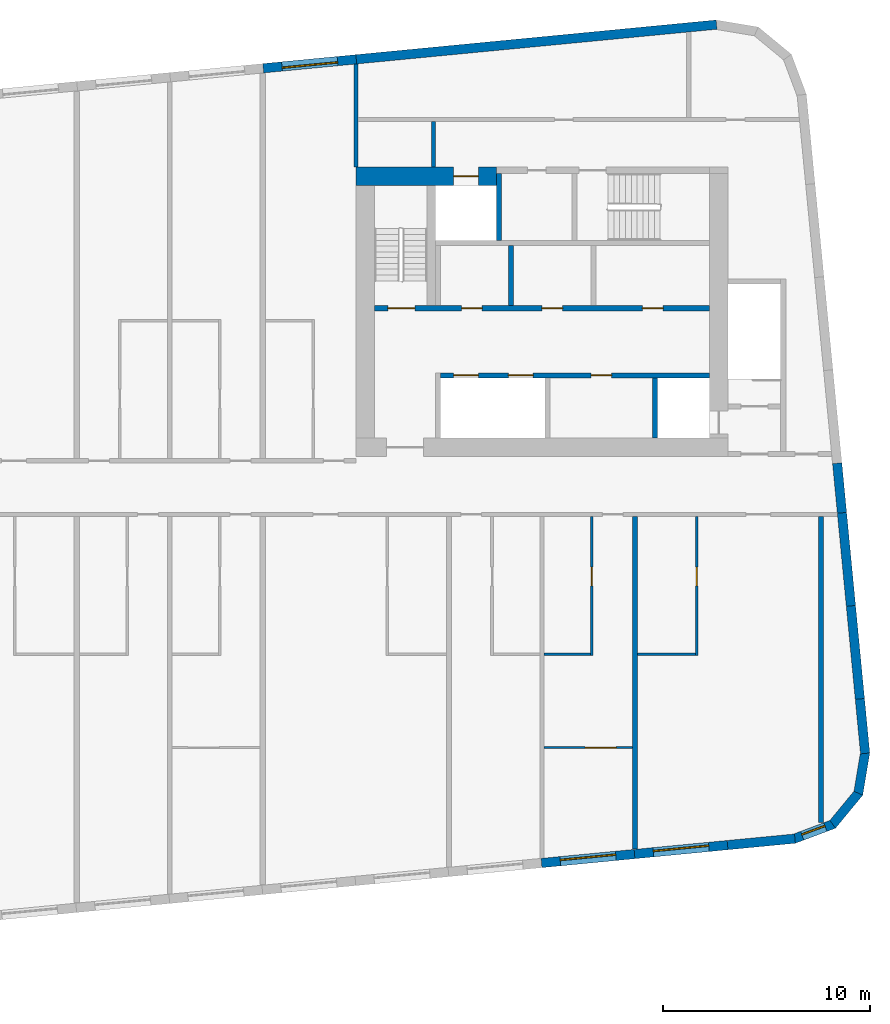
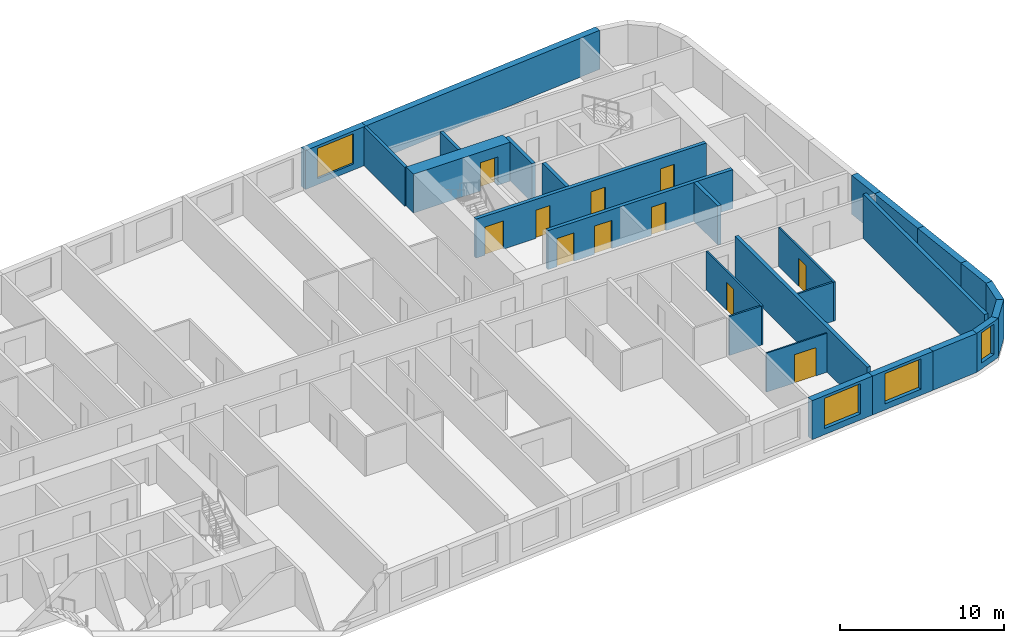
# One storey, part 7 of 11: 27 walls, 11 doors, 4 windows, 15 openings.
"""IFC4 building model written with IfcOpenShell, lengths in metres."""

from ifc_helpers import new_model, si_unit, direction, frame, frame_2d, origin, place, context, subcontext, project, spatial, polyline, rectangle, outline, extrude, material, layer, layer_set, type_object, element, fill, save


model = new_model("IFC4")

# Units and contexts
model_context = context("Model", 3, precision=1e-05, world=origin(), true_north=direction((0.0, 1.0)))
body_context = subcontext(model_context, "Body", "Model", "MODEL_VIEW")
ifc_project = project(units=[si_unit("LENGTHUNIT", "METRE"), si_unit("AREAUNIT", "SQUARE_METRE"), si_unit("VOLUMEUNIT", "CUBIC_METRE"), si_unit("PLANEANGLEUNIT", "RADIAN"), si_unit("MASSUNIT", "GRAM", prefix="KILO")], contexts=[model_context])

# Site, building, storey
site_placement = place(None, origin())
site = spatial("IfcSite", under=ifc_project, at=site_placement, CompositionType="ELEMENT")
building_placement = place(site_placement, origin())
building = spatial("IfcBuilding", under=site, at=building_placement, Name="Kajstack Hotel Tower", CompositionType="ELEMENT")
storey_placement = place(building_placement, frame((0.0, 0.0, 304.800048828125)))
storey = spatial("IfcBuildingStorey", under=building, at=storey_placement, Name="L77", CompositionType="ELEMENT", Elevation=304.800048828125)

# Wall, opening, door
ifc_material_1 = material(Name="Concrete C60/75", Category="concrete")
ifc_layer_1 = layer(ifc_material_1, 0.89990234375)
ifc_layer_set_1 = layer_set([ifc_layer_1], Name="Core wall 900")
wall_type_1 = type_object("IfcWallType", Name="Core wall 900", PredefinedType="SHEAR", material=ifc_layer_set_1)
wall_1_placement = place(storey_placement, frame((13.5, 15.050048828125, 0.0), z_axis=(0.0, 0.0, 1.0), x_axis=(1.0, 0.0, 0.0)))
wall_1 = element("IfcWall", 1, at=wall_1_placement, inside=storey, type_object=wall_type_1, Name="Core wall E RS", PredefinedType="SHEAR", context=body_context, shape_type="SweptSolid", body=[
    extrude(rectangle(XDim=6.800048828125, YDim=0.89990234375, at=frame_2d((3.39990234375, 0.0))), origin(), (0.0, 0.0, 1.0), 2.89990234375),
])
opening_1_placement = place(wall_1_placement, frame((4.72509765625, 0.0, 0.0)))
opening_1 = element("IfcOpeningElement", 2, at=opening_1_placement, cuts=wall_1, Name="Opening LD-SV2", PredefinedType="OPENING", context=body_context, shape_type="SweptSolid", body=[
    extrude(rectangle(XDim=1.199951171875, YDim=2.10009765625, at=frame_2d((0.60009765625, 1.050048828125))), frame((0.0, 0.4599609375, 0.0), z_axis=(0.0, -1.0, 0.0), x_axis=(1.0, 0.0, 0.0)), (0.0, 0.0, 1.0), 0.919921875),
])
ifc_material_2 = material(Name="Stainless steel", Category="steel")
door_type_1 = type_object("IfcDoorType", Name="Lift landing door 1200", OperationType="SLIDING_TO_LEFT", PredefinedType="DOOR", material=ifc_material_2)
door_1_placement = place(opening_1_placement, origin())
door_1 = element("IfcDoor", 3, at=door_1_placement, inside=storey, type_object=door_type_1, Name="Landing door SV2", OperationType="SLIDING_TO_LEFT", OverallHeight=2.10009765625, OverallWidth=1.199951171875, PredefinedType="DOOR", context=body_context, shape_type="SweptSolid", body=[
    extrude(rectangle(XDim=1.199951171875, YDim=2.10009765625, at=frame_2d((0.60009765625, 1.050048828125))), frame((0.0, 0.02490234375, 0.0), z_axis=(0.0, -1.0, 0.0), x_axis=(1.0, 0.0, 0.0)), (0.0, 0.0, 1.0), 0.050048828125),
])
fill(opening_1, door_1)

# Wall
ifc_material_3 = material(Name="Twin-frame gypsum board on steel studs, mineral wool", Category="steel")
ifc_layer_2 = layer(ifc_material_3, 0.199951171875)
ifc_layer_set_2 = layer_set([ifc_layer_2], Name="Demising wall 200")
wall_type_2 = type_object("IfcWallType", Name="Demising wall 200", PredefinedType="PARTITIONING", material=ifc_layer_set_2)
wall_2_placement = place(storey_placement, frame((13.5, 15.5, 0.0), z_axis=(0.0, 0.0, 1.0), x_axis=(0.0, 1.0, 0.0)))
element("IfcWall", 4, at=wall_2_placement, inside=storey, type_object=wall_type_2, Name="G-wall-L77-001", PredefinedType="PARTITIONING", context=body_context, shape_type="SweptSolid", body=[
    extrude(rectangle(XDim=4.985107421875, YDim=0.199951171875, at=frame_2d((2.49267578125, 0.0))), origin(), (0.0, 0.0, 1.0), 2.89990234375),
])

# Wall, opening, window
ifc_material_4 = material(Name="Concrete C40/50", Category="concrete")
ifc_layer_3 = layer(ifc_material_4, 0.449951171875)
ifc_layer_set_3 = layer_set([ifc_layer_3], Name="EW-CORE")
wall_type_3 = type_object("IfcWallType", Name="EW-CORE", PredefinedType="SOLIDWALL", material=ifc_layer_set_3)
wall_3_placement = place(storey_placement, frame((22.478515625, -18.157470703125, 0.0), z_axis=(0.0, 0.0, 1.0), x_axis=(0.995400317863, 0.09580296028, 0.0)))
wall_3 = element("IfcWall", 5, at=wall_3_placement, inside=storey, type_object=wall_type_3, Name="E-wall-L77-04-10", PredefinedType="SOLIDWALL", context=body_context, shape_type="SweptSolid", body=[
    extrude(rectangle(XDim=4.520751953125, YDim=0.449951171875, at=frame_2d((2.26025390625, 0.0))), origin(), (0.0, 0.0, 1.0), 2.89990234375),
])
opening_2_placement = place(wall_3_placement, frame((0.910400390625, 0.0, 0.449951171875)))
opening_2 = element("IfcOpeningElement", 6, at=opening_2_placement, cuts=wall_3, Name="Opening W1", PredefinedType="OPENING", context=body_context, shape_type="SweptSolid", body=[
    extrude(rectangle(XDim=2.699951171875, YDim=2.25, at=frame_2d((1.35009765625, 1.125))), frame((0.0, 0.23486328125, 0.0), z_axis=(0.0, -1.0, 0.0), x_axis=(1.0, 0.0, 0.0)), (0.0, 0.0, 1.0), 0.469970703125),
])
ifc_material_5 = material(Name="Timber-aluminium window, triple glazed", Category="wood")
window_type_1 = type_object("IfcWindowType", Name="WG1", PartitioningType="SINGLE_PANEL", PredefinedType="WINDOW", material=ifc_material_5)
window_1_placement = place(opening_2_placement, origin())
window_1 = element("IfcWindow", 7, at=window_1_placement, inside=storey, type_object=window_type_1, Name="Window W1 L77-04", OverallHeight=2.25, OverallWidth=2.699951171875, PartitioningType="SINGLE_PANEL", PredefinedType="WINDOW", context=body_context, shape_type="SweptSolid", body=[
    extrude(rectangle(XDim=2.699951171875, YDim=2.25, at=frame_2d((1.35009765625, 1.125))), frame((0.0, 0.090087890625, 0.0), z_axis=(0.0, -1.0, 0.0), x_axis=(1.0, 0.0, 0.0)), (0.0, 0.0, 1.0), 0.06005859375),
])
fill(opening_2, window_1)

wall_4_placement = place(storey_placement, frame((26.978515625, -17.724365234375, 0.0), z_axis=(0.0, 0.0, 1.0), x_axis=(0.995395166513, 0.095856468129, 0.0)))
wall_4 = element("IfcWall", 8, at=wall_4_placement, inside=storey, type_object=wall_type_3, Name="E-wall-L77-04-11", PredefinedType="SOLIDWALL", context=body_context, shape_type="SweptSolid", body=[
    extrude(rectangle(XDim=4.520751953125, YDim=0.449951171875, at=frame_2d((2.26025390625, 0.0))), origin(), (0.0, 0.0, 1.0), 2.89990234375),
])
opening_3_placement = place(wall_4_placement, frame((0.910400390625, 0.0, 0.449951171875)))
opening_3 = element("IfcOpeningElement", 9, at=opening_3_placement, cuts=wall_4, Name="Opening W1", PredefinedType="OPENING", context=body_context, shape_type="SweptSolid", body=[
    extrude(rectangle(XDim=2.699951171875, YDim=2.25, at=frame_2d((1.35009765625, 1.125))), frame((0.0, 0.23486328125, 0.0), z_axis=(0.0, -1.0, 0.0), x_axis=(1.0, 0.0, 0.0)), (0.0, 0.0, 1.0), 0.469970703125),
])
window_2_placement = place(opening_3_placement, origin())
window_2 = element("IfcWindow", 10, at=window_2_placement, inside=storey, type_object=window_type_1, Name="Window W1 L77-04", OverallHeight=2.25, OverallWidth=2.699951171875, PartitioningType="SINGLE_PANEL", PredefinedType="WINDOW", context=body_context, shape_type="SweptSolid", body=[
    extrude(rectangle(XDim=2.699951171875, YDim=2.25, at=frame_2d((1.35009765625, 1.125))), frame((0.0, 0.090087890625, 0.0), z_axis=(0.0, -1.0, 0.0), x_axis=(1.0, 0.0, 0.0)), (0.0, 0.0, 1.0), 0.06005859375),
])
fill(opening_3, window_2)

# Wall
wall_5_placement = place(storey_placement, frame((31.478515625, -17.291015625, 0.0), z_axis=(0.0, 0.0, 1.0), x_axis=(0.995396037172, 0.095847426584, 0.0)))
element("IfcWall", 11, at=wall_5_placement, inside=storey, type_object=wall_type_3, Name="E-wall-L77-04-12", PredefinedType="SOLIDWALL", context=body_context, shape_type="SweptSolid", body=[
    extrude(rectangle(XDim=3.273193359375, YDim=0.449951171875, at=frame_2d((1.63671875, 0.0))), origin(), (0.0, 0.0, 1.0), 2.89990234375),
])

# Wall, opening, window
wall_6_placement = place(storey_placement, frame((34.67919921875, -16.990478515625, 0.0), z_axis=(0.0, 0.0, 1.0), x_axis=(0.936677599948, 0.350192909346, 0.0)))
wall_6 = element("IfcWall", 12, at=wall_6_placement, inside=storey, type_object=wall_type_3, Name="E-wall-L77-05-00", PredefinedType="SOLIDWALL", context=body_context, shape_type="SweptSolid", body=[
    extrude(outline(polyline([(0.0, -0.22509765625), (2.070556640625, -0.22509765625), (1.949951171875, 0.22509765625), (0.12060546875, 0.22509765625), (0.0, -0.22509765625)])), origin(), (0.0, 0.0, 1.0), 2.89990234375),
])
opening_4_placement = place(wall_6_placement, frame((0.435302734375, 0.0, 0.449951171875)))
opening_4 = element("IfcOpeningElement", 13, at=opening_4_placement, cuts=wall_6, Name="Opening W3", PredefinedType="OPENING", context=body_context, shape_type="SweptSolid", body=[
    extrude(rectangle(XDim=1.199951171875, YDim=2.25, at=frame_2d((0.60009765625, 1.125))), frame((0.0, 0.23486328125, 0.0), z_axis=(0.0, -1.0, 0.0), x_axis=(1.0, 0.0, 0.0)), (0.0, 0.0, 1.0), 0.469970703125),
])
window_type_2 = type_object("IfcWindowType", Name="WG3", PartitioningType="SINGLE_PANEL", PredefinedType="WINDOW", material=ifc_material_5)
window_3_placement = place(opening_4_placement, origin())
window_3 = element("IfcWindow", 14, at=window_3_placement, inside=storey, type_object=window_type_2, Name="Window W3 L77-05", OverallHeight=2.25, OverallWidth=1.199951171875, PartitioningType="SINGLE_PANEL", PredefinedType="WINDOW", context=body_context, shape_type="SweptSolid", body=[
    extrude(rectangle(XDim=1.199951171875, YDim=2.25, at=frame_2d((0.60009765625, 1.125))), frame((0.0, 0.090087890625, 0.0), z_axis=(0.0, -1.0, 0.0), x_axis=(1.0, 0.0, 0.0)), (0.0, 0.0, 1.0), 0.06005859375),
])
fill(opening_4, window_3)

# Walls
wall_7_placement = place(storey_placement, frame((36.52392578125, -16.3330078125, 0.0), z_axis=(0.0, 0.0, 1.0), x_axis=(0.636046112757, 0.771651049663, 0.0)))
element("IfcWall", 15, at=wall_7_placement, inside=storey, type_object=wall_type_3, Name="E-wall-L77-06-00", PredefinedType="SOLIDWALL", context=body_context, shape_type="SweptSolid", body=[
    extrude(outline(polyline([(0.0, -0.224853515625), (2.070556640625, -0.22509765625), (1.949951171875, 0.22509765625), (0.12060546875, 0.22509765625), (0.0, -0.224853515625)])), origin(), (0.0, 0.0, 1.0), 2.89990234375),
])
wall_8_placement = place(storey_placement, frame((37.79248046875, -14.84130859375, 0.0), z_axis=(0.0, 0.0, 1.0), x_axis=(0.165068144653, 0.986282164302, 0.0)))
element("IfcWall", 16, at=wall_8_placement, inside=storey, type_object=wall_type_3, Name="E-wall-L77-07-00", PredefinedType="SOLIDWALL", context=body_context, shape_type="SweptSolid", body=[
    extrude(outline(polyline([(0.0, -0.22509765625), (2.070556640625, -0.22509765625), (1.949951171875, 0.224853515625), (0.12060546875, 0.224853515625), (0.0, -0.22509765625)])), origin(), (0.0, 0.0, 1.0), 2.89990234375),
])
wall_9_placement = place(storey_placement, frame((38.13232421875, -12.85791015625, 0.0), z_axis=(0.0, 0.0, 1.0), x_axis=(-0.095861695493, 0.995394663105, 0.0)))
element("IfcWall", 17, at=wall_9_placement, inside=storey, type_object=wall_type_3, Name="E-wall-L77-08-00", PredefinedType="SOLIDWALL", context=body_context, shape_type="SweptSolid", body=[
    extrude(rectangle(XDim=2.648681640625, YDim=0.449951171875, at=frame_2d((1.32421875, 0.0))), origin(), (0.0, 0.0, 1.0), 2.89990234375),
])
wall_10_placement = place(storey_placement, frame((37.87841796875, -10.221435546875, 0.0), z_axis=(0.0, 0.0, 1.0), x_axis=(-0.095861621166, 0.995394670263, 0.0)))
element("IfcWall", 18, at=wall_10_placement, inside=storey, type_object=wall_type_3, Name="E-wall-L77-08-01", PredefinedType="SOLIDWALL", context=body_context, shape_type="SweptSolid", body=[
    extrude(rectangle(XDim=4.5205078125, YDim=0.449951171875, at=frame_2d((2.26025390625, 0.0))), origin(), (0.0, 0.0, 1.0), 2.89990234375),
])
wall_11_placement = place(storey_placement, frame((37.445068359375, -5.7216796875, 0.0), z_axis=(0.0, 0.0, 1.0), x_axis=(-0.09580296028, 0.995400317863, 0.0)))
element("IfcWall", 19, at=wall_11_placement, inside=storey, type_object=wall_type_3, Name="E-wall-L77-08-02", PredefinedType="SOLIDWALL", context=body_context, shape_type="SweptSolid", body=[
    extrude(rectangle(XDim=4.520751953125, YDim=0.449951171875, at=frame_2d((2.26025390625, 0.0))), origin(), (0.0, 0.0, 1.0), 2.89990234375),
])
wall_12_placement = place(storey_placement, frame((37.011962890625, -1.2216796875, 0.0), z_axis=(0.0, 0.0, 1.0), x_axis=(-0.095884111621, 0.99539250406, 0.0)))
element("IfcWall", 20, at=wall_12_placement, inside=storey, type_object=wall_type_3, Name="E-wall-L77-08-03", PredefinedType="SOLIDWALL", context=body_context, shape_type="SweptSolid", body=[
    extrude(rectangle(XDim=2.411376953125, YDim=0.449951171875, at=frame_2d((1.20556640625, 0.0))), origin(), (0.0, 0.0, 1.0), 2.89990234375),
])
wall_13_placement = place(storey_placement, frame((30.94580078125, 22.390625, 0.0), z_axis=(0.0, 0.0, 1.0), x_axis=(-0.995396397117, -0.095843688398, 0.0)))
element("IfcWall", 21, at=wall_13_placement, inside=storey, type_object=wall_type_3, Name="E-wall-L77-12-00", PredefinedType="SOLIDWALL", context=body_context, shape_type="SweptSolid", body=[
    extrude(rectangle(XDim=17.5048828125, YDim=0.449951171875, at=frame_2d((8.75244140625, 0.0))), origin(), (0.0, 0.0, 1.0), 2.89990234375),
])

# Wall, opening, window
wall_14_placement = place(storey_placement, frame((13.521484375, 20.712890625, 0.0), z_axis=(0.0, 0.0, 1.0), x_axis=(-0.995395166513, -0.095856468129, 0.0)))
wall_14 = element("IfcWall", 22, at=wall_14_placement, inside=storey, type_object=wall_type_3, Name="E-wall-L77-12-01", PredefinedType="SOLIDWALL", context=body_context, shape_type="SweptSolid", body=[
    extrude(rectangle(XDim=4.520751953125, YDim=0.449951171875, at=frame_2d((2.26025390625, 0.0))), origin(), (0.0, 0.0, 1.0), 2.89990234375),
])
opening_5_placement = place(wall_14_placement, frame((0.910400390625, 0.0, 0.449951171875)))
opening_5 = element("IfcOpeningElement", 23, at=opening_5_placement, cuts=wall_14, Name="Opening W1", PredefinedType="OPENING", context=body_context, shape_type="SweptSolid", body=[
    extrude(rectangle(XDim=2.699951171875, YDim=2.25, at=frame_2d((1.35009765625, 1.125))), frame((0.0, 0.23486328125, 0.0), z_axis=(0.0, -1.0, 0.0), x_axis=(1.0, 0.0, 0.0)), (0.0, 0.0, 1.0), 0.469970703125),
])
window_4_placement = place(opening_5_placement, origin())
window_4 = element("IfcWindow", 24, at=window_4_placement, inside=storey, type_object=window_type_1, Name="Window W1 L77-12", OverallHeight=2.25, OverallWidth=2.699951171875, PartitioningType="SINGLE_PANEL", PredefinedType="WINDOW", context=body_context, shape_type="SweptSolid", body=[
    extrude(rectangle(XDim=2.699951171875, YDim=2.25, at=frame_2d((1.35009765625, 1.125))), frame((0.0, 0.090087890625, 0.0), z_axis=(0.0, -1.0, 0.0), x_axis=(1.0, 0.0, 0.0)), (0.0, 0.0, 1.0), 0.06005859375),
])
fill(opening_5, window_4)

# Wall, opening, door
ifc_material_6 = material(Name="Gypsum board and tiled backer on steel studs", Category="steel")
ifc_layer_4 = layer(ifc_material_6, 0.125)
ifc_layer_set_4 = layer_set([ifc_layer_4], Name="En-suite wall 125")
wall_type_4 = type_object("IfcWallType", Name="En-suite wall 125", PredefinedType="PARTITIONING", material=ifc_layer_set_4)
wall_15_placement = place(storey_placement, frame((24.9130859375, -8.125, 0.0), z_axis=(0.0, 0.0, 1.0), x_axis=(0.0, 1.0, 0.0)))
wall_15 = element("IfcWall", 25, at=wall_15_placement, inside=storey, type_object=wall_type_4, Name="G-wall-L77-044", PredefinedType="PARTITIONING", context=body_context, shape_type="SweptSolid", body=[
    extrude(rectangle(XDim=6.72509765625, YDim=0.125, at=frame_2d((3.362548828125, 0.0))), origin(), (0.0, 0.0, 1.0), 2.89990234375),
])
opening_6_placement = place(wall_15_placement, frame((3.375, 0.0, 0.0)))
opening_6 = element("IfcOpeningElement", 26, at=opening_6_placement, cuts=wall_15, Name="Opening 77036", PredefinedType="OPENING", context=body_context, shape_type="SweptSolid", body=[
    extrude(rectangle(XDim=0.89990234375, YDim=2.10009765625, at=frame_2d((0.449951171875, 1.050048828125))), frame((0.0, 0.072509765625, 0.0), z_axis=(0.0, -1.0, 0.0), x_axis=(1.0, 0.0, 0.0)), (0.0, 0.0, 1.0), 0.14501953125),
])
ifc_material_7 = material(Name="Painted timber door leaf", Category="wood")
door_type_2 = type_object("IfcDoorType", Name="Room door 900", OperationType="SINGLE_SWING_LEFT", PredefinedType="DOOR", material=ifc_material_7)
door_2_placement = place(opening_6_placement, origin())
door_2 = element("IfcDoor", 27, at=door_2_placement, inside=storey, type_object=door_type_2, Name="G-door-L77-36", OperationType="SINGLE_SWING_LEFT", OverallHeight=2.10009765625, OverallWidth=0.89990234375, PredefinedType="DOOR", context=body_context, shape_type="SweptSolid", body=[
    extrude(rectangle(XDim=0.89990234375, YDim=2.10009765625, at=frame_2d((0.449951171875, 1.050048828125))), frame((0.0, 0.02490234375, 0.0), z_axis=(0.0, -1.0, 0.0), x_axis=(1.0, 0.0, 0.0)), (0.0, 0.0, 1.0), 0.050048828125),
])
fill(opening_6, door_2)

# Wall
wall_16_placement = place(storey_placement, frame((22.60009765625, -8.06201171875, 0.0), z_axis=(0.0, 0.0, 1.0), x_axis=(1.0, 0.0, 0.0)))
element("IfcWall", 28, at=wall_16_placement, inside=storey, type_object=wall_type_4, Name="G-wall-L77-045", PredefinedType="PARTITIONING", context=body_context, shape_type="SweptSolid", body=[
    extrude(rectangle(XDim=2.25, YDim=0.125, at=frame_2d((1.125, 0.0))), origin(), (0.0, 0.0, 1.0), 2.89990234375),
])

# Wall, opening, door
wall_17_placement = place(storey_placement, frame((29.988037109375, -8.125, 0.0), z_axis=(0.0, 0.0, 1.0), x_axis=(0.0, 1.0, 0.0)))
wall_17 = element("IfcWall", 29, at=wall_17_placement, inside=storey, type_object=wall_type_4, Name="G-wall-L77-047", PredefinedType="PARTITIONING", context=body_context, shape_type="SweptSolid", body=[
    extrude(rectangle(XDim=6.72509765625, YDim=0.125, at=frame_2d((3.362548828125, 0.0))), origin(), (0.0, 0.0, 1.0), 2.89990234375),
])
opening_7_placement = place(wall_17_placement, frame((3.375, 0.0, 0.0)))
opening_7 = element("IfcOpeningElement", 30, at=opening_7_placement, cuts=wall_17, Name="Opening 77039", PredefinedType="OPENING", context=body_context, shape_type="SweptSolid", body=[
    extrude(rectangle(XDim=0.89990234375, YDim=2.10009765625, at=frame_2d((0.449951171875, 1.050048828125))), frame((0.0, 0.072509765625, 0.0), z_axis=(0.0, -1.0, 0.0), x_axis=(1.0, 0.0, 0.0)), (0.0, 0.0, 1.0), 0.14501953125),
])
door_3_placement = place(opening_7_placement, origin())
door_3 = element("IfcDoor", 31, at=door_3_placement, inside=storey, type_object=door_type_2, Name="G-door-L77-39", OperationType="SINGLE_SWING_LEFT", OverallHeight=2.10009765625, OverallWidth=0.89990234375, PredefinedType="DOOR", context=body_context, shape_type="SweptSolid", body=[
    extrude(rectangle(XDim=0.89990234375, YDim=2.10009765625, at=frame_2d((0.449951171875, 1.050048828125))), frame((0.0, 0.02490234375, 0.0), z_axis=(0.0, -1.0, 0.0), x_axis=(1.0, 0.0, 0.0)), (0.0, 0.0, 1.0), 0.050048828125),
])
fill(opening_7, door_3)

# Wall
wall_18_placement = place(storey_placement, frame((27.125, -8.06201171875, 0.0), z_axis=(0.0, 0.0, 1.0), x_axis=(1.0, 0.0, 0.0)))
element("IfcWall", 32, at=wall_18_placement, inside=storey, type_object=wall_type_4, Name="G-wall-L77-048", PredefinedType="PARTITIONING", context=body_context, shape_type="SweptSolid", body=[
    extrude(rectangle(XDim=2.800048828125, YDim=0.125, at=frame_2d((1.39990234375, 0.0))), origin(), (0.0, 0.0, 1.0), 2.89990234375),
])

# Wall, opening, door
ifc_material_8 = material(Name="Gypsum board on steel studs", Category="steel")
ifc_layer_5 = layer(ifc_material_8, 0.10009765625)
ifc_layer_set_5 = layer_set([ifc_layer_5], Name="Partition 100")
wall_type_5 = type_object("IfcWallType", Name="Partition 100", PredefinedType="PARTITIONING", material=ifc_layer_set_5)
wall_19_placement = place(storey_placement, frame((22.60009765625, -12.574951171875, 0.0), z_axis=(0.0, 0.0, 1.0), x_axis=(1.0, 0.0, 0.0)))
wall_19 = element("IfcWall", 33, at=wall_19_placement, inside=storey, type_object=wall_type_5, Name="G-wall-L77-046", PredefinedType="PARTITIONING", context=body_context, shape_type="SweptSolid", body=[
    extrude(rectangle(XDim=4.27490234375, YDim=0.10009765625, at=frame_2d((2.137451171875, 0.0))), origin(), (0.0, 0.0, 1.0), 2.89990234375),
])
opening_8_placement = place(wall_19_placement, frame((1.988037109375, 0.0, 0.0)))
opening_8 = element("IfcOpeningElement", 34, at=opening_8_placement, cuts=wall_19, Name="Opening 77037", PredefinedType="OPENING", context=body_context, shape_type="SweptSolid", body=[
    extrude(rectangle(XDim=1.5, YDim=2.10009765625, at=frame_2d((0.75, 1.050048828125))), frame((0.0, 0.06005859375, 0.0), z_axis=(0.0, -1.0, 0.0), x_axis=(1.0, 0.0, 0.0)), (0.0, 0.0, 1.0), 0.1201171875),
])
ifc_material_9 = material(Name="Painted timber door leaves, glazed panels", Category="wood")
door_type_3 = type_object("IfcDoorType", Name="Double door 1500", OperationType="SINGLE_SWING_LEFT", PredefinedType="DOOR", material=ifc_material_9)
door_4_placement = place(opening_8_placement, origin())
door_4 = element("IfcDoor", 35, at=door_4_placement, inside=storey, type_object=door_type_3, Name="G-door-L77-37", OperationType="SINGLE_SWING_RIGHT", OverallHeight=2.10009765625, OverallWidth=1.5, PredefinedType="DOOR", context=body_context, shape_type="SweptSolid", body=[
    extrude(rectangle(XDim=1.5, YDim=2.10009765625, at=frame_2d((0.75, 1.050048828125))), frame((0.0, 0.02490234375, 0.0), z_axis=(0.0, -1.0, 0.0), x_axis=(1.0, 0.0, 0.0)), (0.0, 0.0, 1.0), 0.050048828125),
])
fill(opening_8, door_4)

# Walls
ifc_layer_6 = layer(ifc_material_4, 0.25)
ifc_layer_set_6 = layer_set([ifc_layer_6], Name="RC cross wall 250 C40/50")
wall_type_6 = type_object("IfcWallType", Name="RC cross wall 250 C40/50", PredefinedType="SHEAR", material=ifc_layer_set_6)
wall_20_placement = place(storey_placement, frame((27.0, -17.47412109375, 0.0), z_axis=(0.0, 0.0, 1.0), x_axis=(0.0, 1.0, 0.0)))
element("IfcWall", 36, at=wall_20_placement, inside=storey, type_object=wall_type_6, Name="S-wall-L77-11", PredefinedType="SHEAR", context=body_context, shape_type="SweptSolid", body=[
    extrude(rectangle(XDim=16.07421875, YDim=0.25, at=frame_2d((8.037109375, 0.0))), origin(), (0.0, 0.0, 1.0), 3.300048828125),
])
wall_21_placement = place(storey_placement, frame((36.0, -16.198974609375, 0.0), z_axis=(0.0, 0.0, 1.0), x_axis=(0.0, 1.0, 0.0)))
element("IfcWall", 37, at=wall_21_placement, inside=storey, type_object=wall_type_6, Name="S-wall-L77-12", PredefinedType="SHEAR", context=body_context, shape_type="SweptSolid", body=[
    extrude(rectangle(XDim=14.799072265625, YDim=0.25, at=frame_2d((7.3994140625, 0.0))), origin(), (0.0, 0.0, 1.0), 3.300048828125),
])
ifc_material_10 = material(Name="Concrete block masonry", Category="masonry")
ifc_layer_7 = layer(ifc_material_10, 0.25)
ifc_layer_set_7 = layer_set([ifc_layer_7], Name="Riser partition 250")
wall_type_7 = type_object("IfcWallType", Name="Riser partition 250", PredefinedType="PARTITIONING", material=ifc_layer_set_7)
wall_22_placement = place(storey_placement, frame((21.0, 8.800048828125, 0.0), z_axis=(0.0, 0.0, 1.0), x_axis=(0.0, 1.0, 0.0)))
element("IfcWall", 38, at=wall_22_placement, inside=storey, type_object=wall_type_7, Name="Partition E BF1", PredefinedType="PARTITIONING", context=body_context, shape_type="SweptSolid", body=[
    extrude(rectangle(XDim=2.89990234375, YDim=0.25, at=frame_2d((1.449951171875, 0.0))), origin(), (0.0, 0.0, 1.0), 2.89990234375),
])
ifc_material_11 = material(Name="Gypsum board on steel studs, mineral wool", Category="steel")
ifc_layer_8 = layer(ifc_material_11, 0.199951171875)
ifc_layer_set_8 = layer_set([ifc_layer_8], Name="Service partition 200")
wall_type_8 = type_object("IfcWallType", Name="Service partition 200", PredefinedType="PARTITIONING", material=ifc_layer_set_8)
wall_23_placement = place(storey_placement, frame((17.25, 15.5, 0.0), z_axis=(0.0, 0.0, 1.0), x_axis=(0.0, 1.0, 0.0)))
element("IfcWall", 39, at=wall_23_placement, inside=storey, type_object=wall_type_8, Name="Partition E SCE", PredefinedType="PARTITIONING", context=body_context, shape_type="SweptSolid", body=[
    extrude(rectangle(XDim=2.199951171875, YDim=0.199951171875, at=frame_2d((1.10009765625, 0.0))), origin(), (0.0, 0.0, 1.0), 2.89990234375),
])

# Wall, openings, doors
ifc_material_12 = material(Name="Concrete C50/60", Category="concrete")
ifc_layer_9 = layer(ifc_material_12, 0.25)
ifc_layer_set_9 = layer_set([ifc_layer_9], Name="Shaft wall 250")
wall_type_9 = type_object("IfcWallType", Name="Shaft wall 250", PredefinedType="SHEAR", material=ifc_layer_set_9)
wall_24_placement = place(storey_placement, frame((17.60009765625, 5.425048828125, 0.0), z_axis=(0.0, 0.0, 1.0), x_axis=(1.0, 0.0, 0.0)))
wall_24 = element("IfcWall", 40, at=wall_24_placement, inside=storey, type_object=wall_type_9, Name="Core wall E FA", PredefinedType="SHEAR", context=body_context, shape_type="SweptSolid", body=[
    extrude(rectangle(XDim=13.0, YDim=0.25, at=frame_2d((6.5, 0.0))), origin(), (0.0, 0.0, 1.0), 2.89990234375),
])
opening_9_placement = place(wall_24_placement, frame((3.27490234375, 0.0, 0.0)))
opening_9 = element("IfcOpeningElement", 41, at=opening_9_placement, cuts=wall_24, Name="Opening LD-HR3", PredefinedType="OPENING", context=body_context, shape_type="SweptSolid", body=[
    extrude(rectangle(XDim=1.199951171875, YDim=2.10009765625, at=frame_2d((0.60009765625, 1.050048828125))), frame((0.0, 0.135009765625, 0.0), z_axis=(0.0, -1.0, 0.0), x_axis=(1.0, 0.0, 0.0)), (0.0, 0.0, 1.0), 0.27001953125),
])
opening_10_placement = place(wall_24_placement, frame((0.625, 0.0, 0.0)))
opening_10 = element("IfcOpeningElement", 42, at=opening_10_placement, cuts=wall_24, Name="Opening LD-HR4", PredefinedType="OPENING", context=body_context, shape_type="SweptSolid", body=[
    extrude(rectangle(XDim=1.199951171875, YDim=2.10009765625, at=frame_2d((0.60009765625, 1.050048828125))), frame((0.0, 0.135009765625, 0.0), z_axis=(0.0, -1.0, 0.0), x_axis=(1.0, 0.0, 0.0)), (0.0, 0.0, 1.0), 0.27001953125),
])
opening_11_placement = place(wall_24_placement, frame((7.27490234375, 0.0, 0.0)))
opening_11 = element("IfcOpeningElement", 43, at=opening_11_placement, cuts=wall_24, Name="Opening 77E15", PredefinedType="OPENING", context=body_context, shape_type="SweptSolid", body=[
    extrude(rectangle(XDim=1.0, YDim=2.10009765625, at=frame_2d((0.5, 1.050048828125))), frame((0.0, 0.135009765625, 0.0), z_axis=(0.0, -1.0, 0.0), x_axis=(1.0, 0.0, 0.0)), (0.0, 0.0, 1.0), 0.27001953125),
])
door_5_placement = place(opening_9_placement, origin())
door_5 = element("IfcDoor", 44, at=door_5_placement, inside=storey, type_object=door_type_1, Name="Landing door HR3", OperationType="SLIDING_TO_RIGHT", OverallHeight=2.10009765625, OverallWidth=1.199951171875, PredefinedType="DOOR", context=body_context, shape_type="SweptSolid", body=[
    extrude(rectangle(XDim=1.199951171875, YDim=2.10009765625, at=frame_2d((0.60009765625, 1.050048828125))), frame((0.0, 0.02490234375, 0.0), z_axis=(0.0, -1.0, 0.0), x_axis=(1.0, 0.0, 0.0)), (0.0, 0.0, 1.0), 0.050048828125),
])
fill(opening_9, door_5)
door_6_placement = place(opening_10_placement, origin())
door_6 = element("IfcDoor", 45, at=door_6_placement, inside=storey, type_object=door_type_1, Name="Landing door HR4", OperationType="SLIDING_TO_LEFT", OverallHeight=2.10009765625, OverallWidth=1.199951171875, PredefinedType="DOOR", context=body_context, shape_type="SweptSolid", body=[
    extrude(rectangle(XDim=1.199951171875, YDim=2.10009765625, at=frame_2d((0.60009765625, 1.050048828125))), frame((0.0, 0.02490234375, 0.0), z_axis=(0.0, -1.0, 0.0), x_axis=(1.0, 0.0, 0.0)), (0.0, 0.0, 1.0), 0.050048828125),
])
fill(opening_10, door_6)
ifc_material_13 = material(Name="Timber leaf, fire-rated", Category="wood")
door_type_4 = type_object("IfcDoorType", Name="Service room door 1000", OperationType="SINGLE_SWING_LEFT", PredefinedType="DOOR", material=ifc_material_13)
door_7_placement = place(opening_11_placement, origin())
door_7 = element("IfcDoor", 46, at=door_7_placement, inside=storey, type_object=door_type_4, Name="Door 77E15", OperationType="SINGLE_SWING_LEFT", OverallHeight=2.10009765625, OverallWidth=1.0, PredefinedType="DOOR", context=body_context, shape_type="SweptSolid", body=[
    extrude(rectangle(XDim=1.0, YDim=2.10009765625, at=frame_2d((0.5, 1.050048828125))), frame((0.0, 0.02490234375, 0.0), z_axis=(0.0, -1.0, 0.0), x_axis=(1.0, 0.0, 0.0)), (0.0, 0.0, 1.0), 0.050048828125),
])
fill(opening_11, door_7)

# Wall
wall_25_placement = place(storey_placement, frame((27.97509765625, 2.39990234375, 0.0), z_axis=(0.0, 0.0, 1.0), x_axis=(0.0, 1.0, 0.0)))
element("IfcWall", 47, at=wall_25_placement, inside=storey, type_object=wall_type_9, Name="Core wall E AP0", PredefinedType="SHEAR", context=body_context, shape_type="SweptSolid", body=[
    extrude(rectangle(XDim=2.900146484375, YDim=0.25, at=frame_2d((1.4501953125, 0.0))), origin(), (0.0, 0.0, 1.0), 2.89990234375),
])

# Wall, openings, doors
wall_26_placement = place(storey_placement, frame((14.39990234375, 8.675048828125, 0.0), z_axis=(0.0, 0.0, 1.0), x_axis=(1.0, 0.0, 0.0)))
wall_26 = element("IfcWall", 48, at=wall_26_placement, inside=storey, type_object=wall_type_9, Name="Core wall E FB", PredefinedType="SHEAR", context=body_context, shape_type="SweptSolid", body=[
    extrude(rectangle(XDim=16.2001953125, YDim=0.25, at=frame_2d((8.10009765625, 0.0))), origin(), (0.0, 0.0, 1.0), 2.89990234375),
])
opening_12_placement = place(wall_26_placement, frame((0.64990234375, 0.0, 0.0)))
opening_12 = element("IfcOpeningElement", 49, at=opening_12_placement, cuts=wall_26, Name="Opening 77E09", PredefinedType="OPENING", context=body_context, shape_type="SweptSolid", body=[
    extrude(rectangle(XDim=1.300048828125, YDim=2.10009765625, at=frame_2d((0.64990234375, 1.050048828125))), frame((0.0, 0.135009765625, 0.0), z_axis=(0.0, -1.0, 0.0), x_axis=(1.0, 0.0, 0.0)), (0.0, 0.0, 1.0), 0.27001953125),
])
opening_13_placement = place(wall_26_placement, frame((12.96240234375, 0.0, 0.0)))
opening_13 = element("IfcOpeningElement", 50, at=opening_13_placement, cuts=wall_26, Name="Opening 77E12", PredefinedType="OPENING", context=body_context, shape_type="SweptSolid", body=[
    extrude(rectangle(XDim=1.0, YDim=2.10009765625, at=frame_2d((0.5, 1.050048828125))), frame((0.0, 0.135009765625, 0.0), z_axis=(0.0, -1.0, 0.0), x_axis=(1.0, 0.0, 0.0)), (0.0, 0.0, 1.0), 0.27001953125),
])
opening_14_placement = place(wall_26_placement, frame((8.10009765625, 0.0, 0.0)))
opening_14 = element("IfcOpeningElement", 51, at=opening_14_placement, cuts=wall_26, Name="Opening 77E13", PredefinedType="OPENING", context=body_context, shape_type="SweptSolid", body=[
    extrude(rectangle(XDim=1.0, YDim=2.10009765625, at=frame_2d((0.5, 1.050048828125))), frame((0.0, 0.135009765625, 0.0), z_axis=(0.0, -1.0, 0.0), x_axis=(1.0, 0.0, 0.0)), (0.0, 0.0, 1.0), 0.27001953125),
])
opening_15_placement = place(wall_26_placement, frame((4.21240234375, 0.0, 0.0)))
opening_15 = element("IfcOpeningElement", 52, at=opening_15_placement, cuts=wall_26, Name="Opening 77E14", PredefinedType="OPENING", context=body_context, shape_type="SweptSolid", body=[
    extrude(rectangle(XDim=1.0, YDim=2.10009765625, at=frame_2d((0.5, 1.050048828125))), frame((0.0, 0.135009765625, 0.0), z_axis=(0.0, -1.0, 0.0), x_axis=(1.0, 0.0, 0.0)), (0.0, 0.0, 1.0), 0.27001953125),
])
door_8_placement = place(opening_13_placement, origin())
door_8 = element("IfcDoor", 53, at=door_8_placement, inside=storey, type_object=door_type_4, Name="Door 77E12", OperationType="SINGLE_SWING_LEFT", OverallHeight=2.10009765625, OverallWidth=1.0, PredefinedType="DOOR", context=body_context, shape_type="SweptSolid", body=[
    extrude(rectangle(XDim=1.0, YDim=2.10009765625, at=frame_2d((0.5, 1.050048828125))), frame((0.0, 0.02490234375, 0.0), z_axis=(0.0, -1.0, 0.0), x_axis=(1.0, 0.0, 0.0)), (0.0, 0.0, 1.0), 0.050048828125),
])
fill(opening_13, door_8)
door_9_placement = place(opening_14_placement, origin())
door_9 = element("IfcDoor", 54, at=door_9_placement, inside=storey, type_object=door_type_4, Name="Door 77E13", OperationType="SINGLE_SWING_LEFT", OverallHeight=2.10009765625, OverallWidth=1.0, PredefinedType="DOOR", context=body_context, shape_type="SweptSolid", body=[
    extrude(rectangle(XDim=1.0, YDim=2.10009765625, at=frame_2d((0.5, 1.050048828125))), frame((0.0, 0.02490234375, 0.0), z_axis=(0.0, -1.0, 0.0), x_axis=(1.0, 0.0, 0.0)), (0.0, 0.0, 1.0), 0.050048828125),
])
fill(opening_14, door_9)
door_10_placement = place(opening_15_placement, origin())
door_10 = element("IfcDoor", 55, at=door_10_placement, inside=storey, type_object=door_type_4, Name="Door 77E14", OperationType="SINGLE_SWING_LEFT", OverallHeight=2.10009765625, OverallWidth=1.0, PredefinedType="DOOR", context=body_context, shape_type="SweptSolid", body=[
    extrude(rectangle(XDim=1.0, YDim=2.10009765625, at=frame_2d((0.5, 1.050048828125))), frame((0.0, 0.02490234375, 0.0), z_axis=(0.0, -1.0, 0.0), x_axis=(1.0, 0.0, 0.0)), (0.0, 0.0, 1.0), 0.050048828125),
])
fill(opening_15, door_10)
ifc_material_14 = material(Name="Steel leaf, fire-rated", Category="steel")
door_type_5 = type_object("IfcDoorType", Name="Stair door 1300", OperationType="SINGLE_SWING_LEFT", PredefinedType="DOOR", material=ifc_material_14)
door_11_placement = place(opening_12_placement, origin())
door_11 = element("IfcDoor", 56, at=door_11_placement, inside=storey, type_object=door_type_5, Name="Door 77E09", OperationType="SINGLE_SWING_LEFT", OverallHeight=2.10009765625, OverallWidth=1.300048828125, PredefinedType="DOOR", context=body_context, shape_type="SweptSolid", body=[
    extrude(rectangle(XDim=1.300048828125, YDim=2.10009765625, at=frame_2d((0.64990234375, 1.050048828125))), frame((0.0, 0.02490234375, 0.0), z_axis=(0.0, -1.0, 0.0), x_axis=(1.0, 0.0, 0.0)), (0.0, 0.0, 1.0), 0.050048828125),
])
fill(opening_12, door_11)

# Wall
wall_27_placement = place(storey_placement, frame((20.425048828125, 11.949951171875, 0.0), z_axis=(0.0, 0.0, 1.0), x_axis=(0.0, 1.0, 0.0)))
element("IfcWall", 57, at=wall_27_placement, inside=storey, type_object=wall_type_9, Name="Core wall E SVW", PredefinedType="SHEAR", context=body_context, shape_type="SweptSolid", body=[
    extrude(rectangle(XDim=3.25, YDim=0.25, at=frame_2d((1.625, 0.0))), origin(), (0.0, 0.0, 1.0), 2.89990234375),
])

save(model, "model.ifc")
